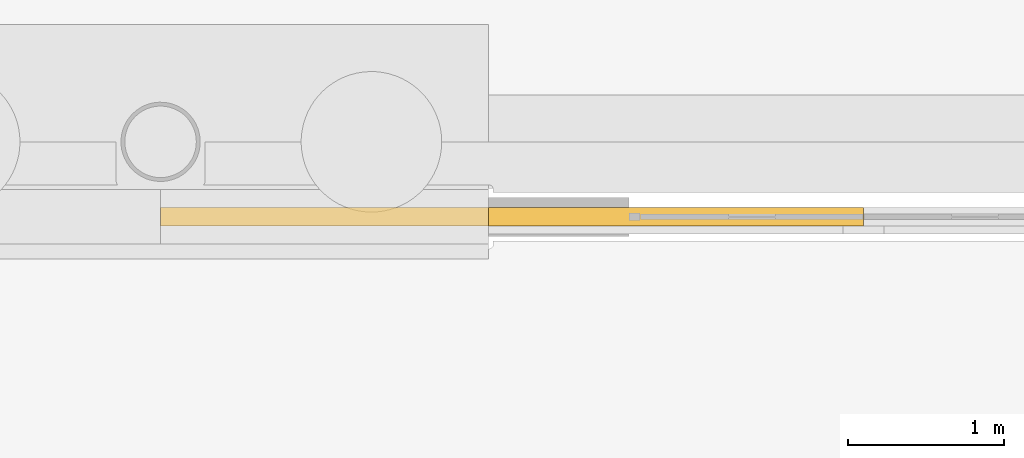
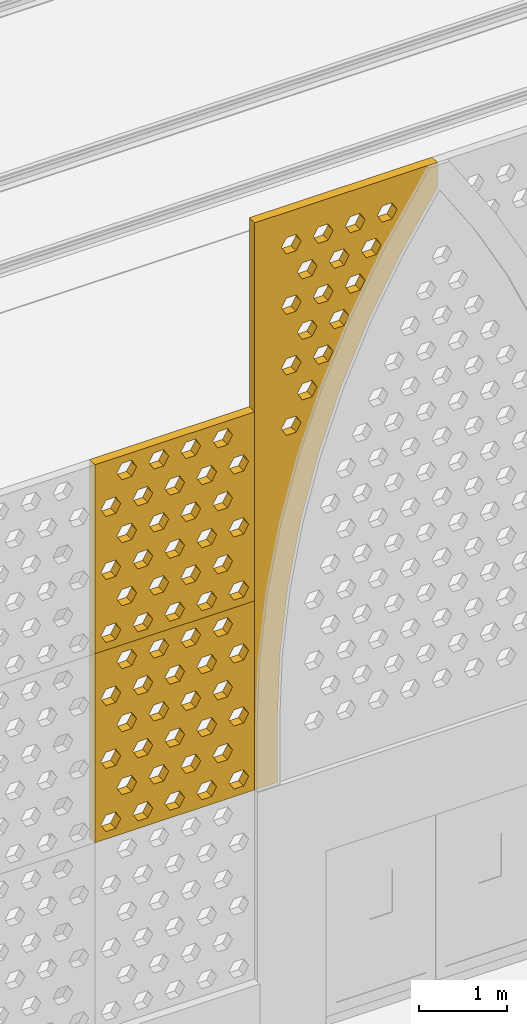
# One storey, part 209 of 250: 3 shading devices.
"""IFC4 building model written with IfcOpenShell, lengths in metres."""

from ifc_helpers import new_model, si_unit, direction, frame, origin, place, context, subcontext, project, spatial, polyline, outline, extrude, material, layer, layer_set, type_object, element, save


model = new_model("IFC4")

# Units and contexts
model_context = context("Model", 3, precision=1e-05, world=origin(), true_north=direction((0.0, 1.0)))
body_context = subcontext(model_context, "Body", "Model", "MODEL_VIEW")
ifc_project = project(units=[si_unit("LENGTHUNIT", "METRE"), si_unit("AREAUNIT", "SQUARE_METRE"), si_unit("VOLUMEUNIT", "CUBIC_METRE"), si_unit("PLANEANGLEUNIT", "RADIAN"), si_unit("MASSUNIT", "GRAM", prefix="KILO")], contexts=[model_context])

# Site, building, storey
site_placement = place(None, origin())
site = spatial("IfcSite", under=ifc_project, at=site_placement, CompositionType="ELEMENT")
building_placement = place(site_placement, origin())
building = spatial("IfcBuilding", under=site, at=building_placement, Name="Baradari Gate Terminus", CompositionType="ELEMENT")
storey_placement = place(building_placement, origin())
storey = spatial("IfcBuildingStorey", under=building, at=storey_placement, Name="L00", CompositionType="ELEMENT", Elevation=0.0)

# Shading devices
ifc_material = material(Name="Concrete C50/60 precast", Category="concrete")
ifc_layer = layer(ifc_material, 0.1201171875)
ifc_layer_set = layer_set([ifc_layer], Name="Concrete C50/60 precast")
shading_device_type = type_object("IfcShadingDeviceType", Name="Jali screen panel JS-2 120", PredefinedType="SHUTTER", material=ifc_layer_set)
shading_device_1_placement = place(storey_placement, frame((225.0, 35.52001953125, 3.52490234375), z_axis=(0.0, 0.0, 1.0), x_axis=(1.0, 0.0, 0.0)))
element("IfcShadingDevice", 1, at=shading_device_1_placement, inside=storey, type_object=shading_device_type, Name="Jali screen panel JS-2 SC08a row 2 panel 1", PredefinedType="SHUTTER", context=body_context, shape_type="SweptSolid", body=[
    extrude(outline(polyline([(0.0, 0.0), (2.10009765625, 0.0), (2.10009765625, 2.625), (0.0, 2.625), (0.0, 0.0)]), holes=[polyline([(0.340087890625, 0.21875), (0.27490234375, 0.106201171875), (0.14501953125, 0.106201171875), (0.080078125, 0.21875), (0.14501953125, 0.33154296875), (0.27490234375, 0.33154296875), (0.340087890625, 0.21875)]), polyline([(0.760009765625, 0.21875), (0.695068359375, 0.106201171875), (0.56494140625, 0.106201171875), (0.5, 0.21875), (0.56494140625, 0.33154296875), (0.695068359375, 0.33154296875), (0.760009765625, 0.21875)]), polyline([(1.179931640625, 0.21875), (1.114990234375, 0.106201171875), (0.985107421875, 0.106201171875), (0.919921875, 0.21875), (0.985107421875, 0.33154296875), (1.114990234375, 0.33154296875), (1.179931640625, 0.21875)]), polyline([(1.60009765625, 0.21875), (1.534912109375, 0.106201171875), (1.405029296875, 0.106201171875), (1.340087890625, 0.21875), (1.405029296875, 0.33154296875), (1.534912109375, 0.33154296875), (1.60009765625, 0.21875)]), polyline([(2.02001953125, 0.21875), (1.955078125, 0.106201171875), (1.824951171875, 0.106201171875), (1.760009765625, 0.21875), (1.824951171875, 0.33154296875), (1.955078125, 0.33154296875), (2.02001953125, 0.21875)]), polyline([(0.550048828125, 0.65625), (0.485107421875, 0.543701171875), (0.35498046875, 0.543701171875), (0.2900390625, 0.65625), (0.35498046875, 0.76904296875), (0.485107421875, 0.76904296875), (0.550048828125, 0.65625)]), polyline([(0.969970703125, 0.65625), (0.905029296875, 0.543701171875), (0.77490234375, 0.543701171875), (0.7099609375, 0.65625), (0.77490234375, 0.76904296875), (0.905029296875, 0.76904296875), (0.969970703125, 0.65625)]), polyline([(1.389892578125, 0.65625), (1.324951171875, 0.543701171875), (1.195068359375, 0.543701171875), (1.1298828125, 0.65625), (1.195068359375, 0.76904296875), (1.324951171875, 0.76904296875), (1.389892578125, 0.65625)]), polyline([(1.81005859375, 0.65625), (1.7451171875, 0.543701171875), (1.614990234375, 0.543701171875), (1.550048828125, 0.65625), (1.614990234375, 0.76904296875), (1.7451171875, 0.76904296875), (1.81005859375, 0.65625)]), polyline([(0.340087890625, 1.09375), (0.27490234375, 0.981201171875), (0.14501953125, 0.981201171875), (0.080078125, 1.09375), (0.14501953125, 1.20654296875), (0.27490234375, 1.20654296875), (0.340087890625, 1.09375)]), polyline([(0.760009765625, 1.09375), (0.695068359375, 0.981201171875), (0.56494140625, 0.981201171875), (0.5, 1.09375), (0.56494140625, 1.20654296875), (0.695068359375, 1.20654296875), (0.760009765625, 1.09375)]), polyline([(1.179931640625, 1.09375), (1.114990234375, 0.981201171875), (0.985107421875, 0.981201171875), (0.919921875, 1.09375), (0.985107421875, 1.20654296875), (1.114990234375, 1.20654296875), (1.179931640625, 1.09375)]), polyline([(1.60009765625, 1.09375), (1.534912109375, 0.981201171875), (1.405029296875, 0.981201171875), (1.340087890625, 1.09375), (1.405029296875, 1.20654296875), (1.534912109375, 1.20654296875), (1.60009765625, 1.09375)]), polyline([(2.02001953125, 1.09375), (1.955078125, 0.981201171875), (1.824951171875, 0.981201171875), (1.760009765625, 1.09375), (1.824951171875, 1.20654296875), (1.955078125, 1.20654296875), (2.02001953125, 1.09375)]), polyline([(0.550048828125, 1.53125), (0.485107421875, 1.418701171875), (0.35498046875, 1.418701171875), (0.2900390625, 1.53125), (0.35498046875, 1.64404296875), (0.485107421875, 1.64404296875), (0.550048828125, 1.53125)]), polyline([(0.969970703125, 1.53125), (0.905029296875, 1.418701171875), (0.77490234375, 1.418701171875), (0.7099609375, 1.53125), (0.77490234375, 1.64404296875), (0.905029296875, 1.64404296875), (0.969970703125, 1.53125)]), polyline([(1.389892578125, 1.53125), (1.324951171875, 1.418701171875), (1.195068359375, 1.418701171875), (1.1298828125, 1.53125), (1.195068359375, 1.64404296875), (1.324951171875, 1.64404296875), (1.389892578125, 1.53125)]), polyline([(1.81005859375, 1.53125), (1.7451171875, 1.418701171875), (1.614990234375, 1.418701171875), (1.550048828125, 1.53125), (1.614990234375, 1.64404296875), (1.7451171875, 1.64404296875), (1.81005859375, 1.53125)]), polyline([(0.340087890625, 1.96875), (0.27490234375, 1.856201171875), (0.14501953125, 1.856201171875), (0.080078125, 1.96875), (0.14501953125, 2.08154296875), (0.27490234375, 2.08154296875), (0.340087890625, 1.96875)]), polyline([(0.760009765625, 1.96875), (0.695068359375, 1.856201171875), (0.56494140625, 1.856201171875), (0.5, 1.96875), (0.56494140625, 2.08154296875), (0.695068359375, 2.08154296875), (0.760009765625, 1.96875)]), polyline([(1.179931640625, 1.96875), (1.114990234375, 1.856201171875), (0.985107421875, 1.856201171875), (0.919921875, 1.96875), (0.985107421875, 2.08154296875), (1.114990234375, 2.08154296875), (1.179931640625, 1.96875)]), polyline([(1.60009765625, 1.96875), (1.534912109375, 1.856201171875), (1.405029296875, 1.856201171875), (1.340087890625, 1.96875), (1.405029296875, 2.08154296875), (1.534912109375, 2.08154296875), (1.60009765625, 1.96875)]), polyline([(2.02001953125, 1.96875), (1.955078125, 1.856201171875), (1.824951171875, 1.856201171875), (1.760009765625, 1.96875), (1.824951171875, 2.08154296875), (1.955078125, 2.08154296875), (2.02001953125, 1.96875)]), polyline([(0.550048828125, 2.40625), (0.485107421875, 2.293701171875), (0.35498046875, 2.293701171875), (0.2900390625, 2.40625), (0.35498046875, 2.51904296875), (0.485107421875, 2.51904296875), (0.550048828125, 2.40625)]), polyline([(0.969970703125, 2.40625), (0.905029296875, 2.293701171875), (0.77490234375, 2.293701171875), (0.7099609375, 2.40625), (0.77490234375, 2.51904296875), (0.905029296875, 2.51904296875), (0.969970703125, 2.40625)]), polyline([(1.389892578125, 2.40625), (1.324951171875, 2.293701171875), (1.195068359375, 2.293701171875), (1.1298828125, 2.40625), (1.195068359375, 2.51904296875), (1.324951171875, 2.51904296875), (1.389892578125, 2.40625)]), polyline([(1.81005859375, 2.40625), (1.7451171875, 2.293701171875), (1.614990234375, 2.293701171875), (1.550048828125, 2.40625), (1.614990234375, 2.51904296875), (1.7451171875, 2.51904296875), (1.81005859375, 2.40625)])]), frame((0.0, 0.06005859375, 0.0), z_axis=(0.0, -1.0, 0.0), x_axis=(1.0, 0.0, 0.0)), (0.0, 0.0, 1.0), 0.1201171875),
])
shading_device_2_placement = place(storey_placement, frame((225.0, 35.52001953125, 6.14990234375), z_axis=(0.0, 0.0, 1.0), x_axis=(1.0, 0.0, 0.0)))
element("IfcShadingDevice", 2, at=shading_device_2_placement, inside=storey, type_object=shading_device_type, Name="Jali screen panel JS-2 SC08a row 3 panel 1", PredefinedType="SHUTTER", context=body_context, shape_type="SweptSolid", body=[
    extrude(outline(polyline([(0.0, 0.0), (2.10009765625, 0.0), (2.10009765625, 2.625), (0.0, 2.625), (0.0, 0.0)]), holes=[polyline([(0.340087890625, 0.21875), (0.27490234375, 0.106201171875), (0.14501953125, 0.106201171875), (0.080078125, 0.21875), (0.14501953125, 0.33154296875), (0.27490234375, 0.33154296875), (0.340087890625, 0.21875)]), polyline([(0.760009765625, 0.21875), (0.695068359375, 0.106201171875), (0.56494140625, 0.106201171875), (0.5, 0.21875), (0.56494140625, 0.33154296875), (0.695068359375, 0.33154296875), (0.760009765625, 0.21875)]), polyline([(1.179931640625, 0.21875), (1.114990234375, 0.106201171875), (0.985107421875, 0.106201171875), (0.919921875, 0.21875), (0.985107421875, 0.33154296875), (1.114990234375, 0.33154296875), (1.179931640625, 0.21875)]), polyline([(1.60009765625, 0.21875), (1.534912109375, 0.106201171875), (1.405029296875, 0.106201171875), (1.340087890625, 0.21875), (1.405029296875, 0.33154296875), (1.534912109375, 0.33154296875), (1.60009765625, 0.21875)]), polyline([(2.02001953125, 0.21875), (1.955078125, 0.106201171875), (1.824951171875, 0.106201171875), (1.760009765625, 0.21875), (1.824951171875, 0.33154296875), (1.955078125, 0.33154296875), (2.02001953125, 0.21875)]), polyline([(0.550048828125, 0.65625), (0.485107421875, 0.543701171875), (0.35498046875, 0.543701171875), (0.2900390625, 0.65625), (0.35498046875, 0.76904296875), (0.485107421875, 0.76904296875), (0.550048828125, 0.65625)]), polyline([(0.969970703125, 0.65625), (0.905029296875, 0.543701171875), (0.77490234375, 0.543701171875), (0.7099609375, 0.65625), (0.77490234375, 0.76904296875), (0.905029296875, 0.76904296875), (0.969970703125, 0.65625)]), polyline([(1.389892578125, 0.65625), (1.324951171875, 0.543701171875), (1.195068359375, 0.543701171875), (1.1298828125, 0.65625), (1.195068359375, 0.76904296875), (1.324951171875, 0.76904296875), (1.389892578125, 0.65625)]), polyline([(1.81005859375, 0.65625), (1.7451171875, 0.543701171875), (1.614990234375, 0.543701171875), (1.550048828125, 0.65625), (1.614990234375, 0.76904296875), (1.7451171875, 0.76904296875), (1.81005859375, 0.65625)]), polyline([(0.340087890625, 1.09375), (0.27490234375, 0.981201171875), (0.14501953125, 0.981201171875), (0.080078125, 1.09375), (0.14501953125, 1.20654296875), (0.27490234375, 1.20654296875), (0.340087890625, 1.09375)]), polyline([(0.760009765625, 1.09375), (0.695068359375, 0.981201171875), (0.56494140625, 0.981201171875), (0.5, 1.09375), (0.56494140625, 1.20654296875), (0.695068359375, 1.20654296875), (0.760009765625, 1.09375)]), polyline([(1.179931640625, 1.09375), (1.114990234375, 0.981201171875), (0.985107421875, 0.981201171875), (0.919921875, 1.09375), (0.985107421875, 1.20654296875), (1.114990234375, 1.20654296875), (1.179931640625, 1.09375)]), polyline([(1.60009765625, 1.09375), (1.534912109375, 0.981201171875), (1.405029296875, 0.981201171875), (1.340087890625, 1.09375), (1.405029296875, 1.20654296875), (1.534912109375, 1.20654296875), (1.60009765625, 1.09375)]), polyline([(2.02001953125, 1.09375), (1.955078125, 0.981201171875), (1.824951171875, 0.981201171875), (1.760009765625, 1.09375), (1.824951171875, 1.20654296875), (1.955078125, 1.20654296875), (2.02001953125, 1.09375)]), polyline([(0.550048828125, 1.53125), (0.485107421875, 1.418701171875), (0.35498046875, 1.418701171875), (0.2900390625, 1.53125), (0.35498046875, 1.64404296875), (0.485107421875, 1.64404296875), (0.550048828125, 1.53125)]), polyline([(0.969970703125, 1.53125), (0.905029296875, 1.418701171875), (0.77490234375, 1.418701171875), (0.7099609375, 1.53125), (0.77490234375, 1.64404296875), (0.905029296875, 1.64404296875), (0.969970703125, 1.53125)]), polyline([(1.389892578125, 1.53125), (1.324951171875, 1.418701171875), (1.195068359375, 1.418701171875), (1.1298828125, 1.53125), (1.195068359375, 1.64404296875), (1.324951171875, 1.64404296875), (1.389892578125, 1.53125)]), polyline([(1.81005859375, 1.53125), (1.7451171875, 1.418701171875), (1.614990234375, 1.418701171875), (1.550048828125, 1.53125), (1.614990234375, 1.64404296875), (1.7451171875, 1.64404296875), (1.81005859375, 1.53125)]), polyline([(0.340087890625, 1.96875), (0.27490234375, 1.856201171875), (0.14501953125, 1.856201171875), (0.080078125, 1.96875), (0.14501953125, 2.08154296875), (0.27490234375, 2.08154296875), (0.340087890625, 1.96875)]), polyline([(0.760009765625, 1.96875), (0.695068359375, 1.856201171875), (0.56494140625, 1.856201171875), (0.5, 1.96875), (0.56494140625, 2.08154296875), (0.695068359375, 2.08154296875), (0.760009765625, 1.96875)]), polyline([(1.179931640625, 1.96875), (1.114990234375, 1.856201171875), (0.985107421875, 1.856201171875), (0.919921875, 1.96875), (0.985107421875, 2.08154296875), (1.114990234375, 2.08154296875), (1.179931640625, 1.96875)]), polyline([(1.60009765625, 1.96875), (1.534912109375, 1.856201171875), (1.405029296875, 1.856201171875), (1.340087890625, 1.96875), (1.405029296875, 2.08154296875), (1.534912109375, 2.08154296875), (1.60009765625, 1.96875)]), polyline([(2.02001953125, 1.96875), (1.955078125, 1.856201171875), (1.824951171875, 1.856201171875), (1.760009765625, 1.96875), (1.824951171875, 2.08154296875), (1.955078125, 2.08154296875), (2.02001953125, 1.96875)]), polyline([(0.550048828125, 2.40625), (0.485107421875, 2.293701171875), (0.35498046875, 2.293701171875), (0.2900390625, 2.40625), (0.35498046875, 2.51904296875), (0.485107421875, 2.51904296875), (0.550048828125, 2.40625)]), polyline([(0.969970703125, 2.40625), (0.905029296875, 2.293701171875), (0.77490234375, 2.293701171875), (0.7099609375, 2.40625), (0.77490234375, 2.51904296875), (0.905029296875, 2.51904296875), (0.969970703125, 2.40625)]), polyline([(1.389892578125, 2.40625), (1.324951171875, 2.293701171875), (1.195068359375, 2.293701171875), (1.1298828125, 2.40625), (1.195068359375, 2.51904296875), (1.324951171875, 2.51904296875), (1.389892578125, 2.40625)]), polyline([(1.81005859375, 2.40625), (1.7451171875, 2.293701171875), (1.614990234375, 2.293701171875), (1.550048828125, 2.40625), (1.614990234375, 2.51904296875), (1.7451171875, 2.51904296875), (1.81005859375, 2.40625)])]), frame((0.0, 0.06005859375, 0.0), z_axis=(0.0, -1.0, 0.0), x_axis=(1.0, 0.0, 0.0)), (0.0, 0.0, 1.0), 0.1201171875),
])
shading_device_3_placement = place(storey_placement, frame((227.10009765625, 35.52001953125, 3.52490234375), z_axis=(0.0, 0.0, 1.0), x_axis=(1.0, 0.0, 0.0)))
element("IfcShadingDevice", 3, at=shading_device_3_placement, inside=storey, type_object=shading_device_type, Name="Jali screen panel JS-2 SC08b arch L1", PredefinedType="SHUTTER", context=body_context, shape_type="SweptSolid", body=[
    extrude(outline(polyline([(0.0, 0.0), (0.300048828125, 0.0), (0.300048828125, 0.900146484375), (0.333740234375, 1.78173828125), (0.435302734375, 2.658203125), (0.603515625, 3.5244140625), (0.837646484375, 4.375), (1.13623046875, 5.205322265625), (1.49755859375, 6.01025390625), (1.919677734375, 6.784912109375), (2.39990234375, 7.525146484375), (2.39990234375, 7.875), (0.0, 7.875), (0.0, 0.0)]), holes=[polyline([(0.610107421875, 4.89013671875), (0.544921875, 4.777587890625), (0.4150390625, 4.777587890625), (0.35009765625, 4.89013671875), (0.4150390625, 5.002685546875), (0.544921875, 5.002685546875), (0.610107421875, 4.89013671875)]), polyline([(0.820068359375, 5.31005859375), (0.7548828125, 5.197509765625), (0.625, 5.197509765625), (0.56005859375, 5.31005859375), (0.625, 5.422607421875), (0.7548828125, 5.422607421875), (0.820068359375, 5.31005859375)]), polyline([(0.610107421875, 5.72998046875), (0.544921875, 5.617431640625), (0.4150390625, 5.617431640625), (0.35009765625, 5.72998046875), (0.4150390625, 5.8427734375), (0.544921875, 5.8427734375), (0.610107421875, 5.72998046875)]), polyline([(1.030029296875, 5.72998046875), (0.965087890625, 5.617431640625), (0.8349609375, 5.617431640625), (0.77001953125, 5.72998046875), (0.8349609375, 5.8427734375), (0.965087890625, 5.8427734375), (1.030029296875, 5.72998046875)]), polyline([(0.820068359375, 6.150146484375), (0.7548828125, 6.03759765625), (0.625, 6.03759765625), (0.56005859375, 6.150146484375), (0.625, 6.2626953125), (0.7548828125, 6.2626953125), (0.820068359375, 6.150146484375)]), polyline([(1.239990234375, 6.150146484375), (1.175048828125, 6.03759765625), (1.044921875, 6.03759765625), (0.97998046875, 6.150146484375), (1.044921875, 6.2626953125), (1.175048828125, 6.2626953125), (1.239990234375, 6.150146484375)]), polyline([(0.610107421875, 6.570068359375), (0.544921875, 6.45751953125), (0.4150390625, 6.45751953125), (0.35009765625, 6.570068359375), (0.4150390625, 6.6826171875), (0.544921875, 6.6826171875), (0.610107421875, 6.570068359375)]), polyline([(1.030029296875, 6.570068359375), (0.965087890625, 6.45751953125), (0.8349609375, 6.45751953125), (0.77001953125, 6.570068359375), (0.8349609375, 6.6826171875), (0.965087890625, 6.6826171875), (1.030029296875, 6.570068359375)]), polyline([(1.449951171875, 6.570068359375), (1.385009765625, 6.45751953125), (1.2548828125, 6.45751953125), (1.18994140625, 6.570068359375), (1.2548828125, 6.6826171875), (1.385009765625, 6.6826171875), (1.449951171875, 6.570068359375)]), polyline([(0.820068359375, 6.989990234375), (0.7548828125, 6.87744140625), (0.625, 6.87744140625), (0.56005859375, 6.989990234375), (0.625, 7.102783203125), (0.7548828125, 7.102783203125), (0.820068359375, 6.989990234375)]), polyline([(1.239990234375, 6.989990234375), (1.175048828125, 6.87744140625), (1.044921875, 6.87744140625), (0.97998046875, 6.989990234375), (1.044921875, 7.102783203125), (1.175048828125, 7.102783203125), (1.239990234375, 6.989990234375)]), polyline([(1.659912109375, 6.989990234375), (1.594970703125, 6.87744140625), (1.465087890625, 6.87744140625), (1.39990234375, 6.989990234375), (1.465087890625, 7.102783203125), (1.594970703125, 7.102783203125), (1.659912109375, 6.989990234375)]), polyline([(0.610107421875, 7.41015625), (0.544921875, 7.297607421875), (0.4150390625, 7.297607421875), (0.35009765625, 7.41015625), (0.4150390625, 7.522705078125), (0.544921875, 7.522705078125), (0.610107421875, 7.41015625)]), polyline([(1.030029296875, 7.41015625), (0.965087890625, 7.297607421875), (0.8349609375, 7.297607421875), (0.77001953125, 7.41015625), (0.8349609375, 7.522705078125), (0.965087890625, 7.522705078125), (1.030029296875, 7.41015625)]), polyline([(1.449951171875, 7.41015625), (1.385009765625, 7.297607421875), (1.2548828125, 7.297607421875), (1.18994140625, 7.41015625), (1.2548828125, 7.522705078125), (1.385009765625, 7.522705078125), (1.449951171875, 7.41015625)]), polyline([(1.8701171875, 7.41015625), (1.804931640625, 7.297607421875), (1.675048828125, 7.297607421875), (1.610107421875, 7.41015625), (1.675048828125, 7.522705078125), (1.804931640625, 7.522705078125), (1.8701171875, 7.41015625)])]), frame((0.0, 0.06005859375, 0.0), z_axis=(0.0, -1.0, 0.0), x_axis=(1.0, 0.0, 0.0)), (0.0, 0.0, 1.0), 0.1201171875),
])

save(model, "model.ifc")
